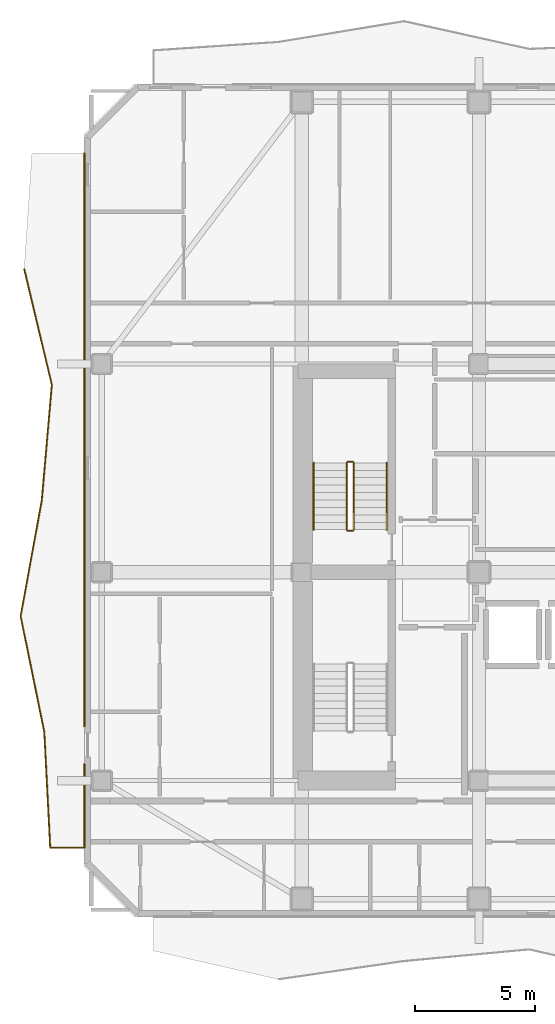
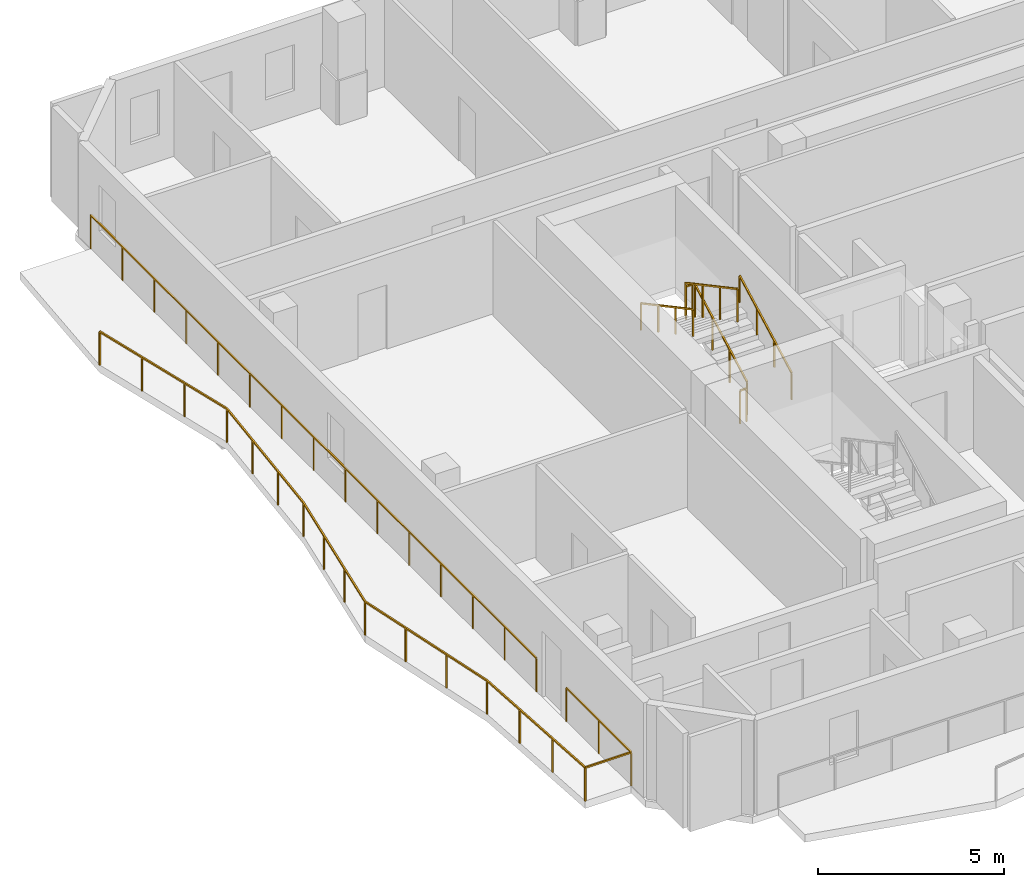
# One storey, part 8 of 10: 8 railings.
"""IFC4 building model written with IfcOpenShell, lengths in metres."""

from ifc_helpers import new_model, si_unit, direction, frame, origin, origin_2d, place, context, subcontext, project, spatial, rectangle, extrude, material, type_object, element, save


model = new_model("IFC4")

# Units and contexts
model_context = context("Model", 3, precision=1e-05, world=origin(), true_north=direction((0.0, 1.0)))
body_context = subcontext(model_context, "Body", "Model", "MODEL_VIEW")
ifc_project = project(units=[si_unit("LENGTHUNIT", "METRE"), si_unit("AREAUNIT", "SQUARE_METRE"), si_unit("VOLUMEUNIT", "CUBIC_METRE"), si_unit("PLANEANGLEUNIT", "RADIAN"), si_unit("MASSUNIT", "GRAM", prefix="KILO")], contexts=[model_context])

# Site, building, storey
site_placement = place(None, origin())
site = spatial("IfcSite", under=ifc_project, at=site_placement, CompositionType="ELEMENT")
building_placement = place(site_placement, origin())
building = spatial("IfcBuilding", under=site, at=building_placement, Name="Solanera Arch Residences", CompositionType="ELEMENT")
storey_placement = place(building_placement, frame((0.0, 0.0, 262.239990234375)))
storey = spatial("IfcBuildingStorey", under=building, at=storey_placement, Name="L76", CompositionType="ELEMENT", Elevation=262.239990234375)

# Railings
ifc_material_1 = material(Name="Steel S355 (ASTM A992 / A572 Grade 50)", Category="steel")
railing_type_1 = type_object("IfcRailingType", Name="Balustrade Railing BL-1100", PredefinedType="BALUSTRADE", material=ifc_material_1)
railing_1_placement = place(storey_placement, frame((1.802001953125, 43.366943359375, 0.0)))
element("IfcRailing", 1, at=railing_1_placement, inside=storey, type_object=railing_type_1, Name="L76 W Balcony Balustrade 1", PredefinedType="BALUSTRADE", context=body_context, shape_type="SweptSolid", body=[
    extrude(rectangle(XDim=0.048095703125, YDim=0.048095703125, at=origin_2d()), frame((0.0, 0.0, 1.09619140625), z_axis=(0.232025644782, -0.972709668999, 0.0), x_axis=(0.972709668999, 0.232025644782, 0.0)), (0.0, 0.0, 1.0), 4.9697265625),
    extrude(rectangle(XDim=0.048095703125, YDim=0.048095703125, at=origin_2d()), frame((1.153076171875, -4.833984375, 1.09619140625), z_axis=(-0.086610071574, -0.99624228755, 0.0), x_axis=(0.99624228755, -0.086610071574, 0.0)), (0.0, 0.0, 1.0), 4.851318359375),
    extrude(rectangle(XDim=0.048095703125, YDim=0.048095703125, at=origin_2d()), frame((0.73291015625, -9.6669921875, 1.09619140625), z_axis=(-0.179690007971, -0.983723284789, 0.0), x_axis=(0.983723284789, -0.179690007971, 0.0)), (0.0, 0.0, 1.0), 4.9130859375),
    extrude(rectangle(XDim=0.048095703125, YDim=0.048095703125, at=origin_2d()), frame((-0.14990234375, -14.5, 1.09619140625), z_axis=(0.20020625093, -0.979753773705, 0.0), x_axis=(0.979753773705, 0.20020625093, 0.0)), (0.0, 0.0, 1.0), 4.933837890625),
    extrude(rectangle(XDim=0.048095703125, YDim=0.048095703125, at=origin_2d()), frame((0.837890625, -19.333984375, 1.09619140625), z_axis=(0.051256037288, -0.998685545425, 0.0), x_axis=(0.998685545425, 0.051256037288, 0.0)), (0.0, 0.0, 1.0), 4.83935546875),
    extrude(rectangle(XDim=0.048095703125, YDim=0.048095703125, at=origin_2d()), frame((1.0859375, -24.1669921875, 1.09619140625), z_axis=(1.0, 0.0, 0.0), x_axis=(0.0, 1.0, 0.0)), (0.0, 0.0, 1.0), 1.43212890625),
    extrude(rectangle(XDim=0.048095703125, YDim=0.048095703125, at=origin_2d()), frame((2.51806640625, -24.1669921875, 1.09619140625), z_axis=(0.0, 1.0, 0.0), x_axis=(-1.0, 0.0, 0.0)), (0.0, 0.0, 1.0), 3.47900390625),
    extrude(rectangle(XDim=0.0419921875, YDim=0.0419921875, at=origin_2d()), origin(), (0.0, 0.0, 1.0), 1.072021484375),
    extrude(rectangle(XDim=0.0419921875, YDim=0.0419921875, at=origin_2d()), frame((0.38427734375, -1.611328125, 0.0)), (0.0, 0.0, 1.0), 1.072021484375),
    extrude(rectangle(XDim=0.0419921875, YDim=0.0419921875, at=origin_2d()), frame((0.768798828125, -3.22265625, 0.0)), (0.0, 0.0, 1.0), 1.072021484375),
    extrude(rectangle(XDim=0.0419921875, YDim=0.0419921875, at=origin_2d()), frame((1.153076171875, -4.833984375, 0.0)), (0.0, 0.0, 1.0), 1.072021484375),
    extrude(rectangle(XDim=0.0419921875, YDim=0.0419921875, at=origin_2d()), frame((1.012939453125, -6.445068359375, 0.0)), (0.0, 0.0, 1.0), 1.072021484375),
    extrude(rectangle(XDim=0.0419921875, YDim=0.0419921875, at=origin_2d()), frame((0.873046875, -8.055908203125, 0.0)), (0.0, 0.0, 1.0), 1.072021484375),
    extrude(rectangle(XDim=0.0419921875, YDim=0.0419921875, at=origin_2d()), frame((0.73291015625, -9.6669921875, 0.0)), (0.0, 0.0, 1.0), 1.072021484375),
    extrude(rectangle(XDim=0.0419921875, YDim=0.0419921875, at=origin_2d()), frame((0.438720703125, -11.278076171875, 0.0)), (0.0, 0.0, 1.0), 1.072021484375),
    extrude(rectangle(XDim=0.0419921875, YDim=0.0419921875, at=origin_2d()), frame((0.144287109375, -12.888916015625, 0.0)), (0.0, 0.0, 1.0), 1.072021484375),
    extrude(rectangle(XDim=0.0419921875, YDim=0.0419921875, at=origin_2d()), frame((-0.14990234375, -14.5, 0.0)), (0.0, 0.0, 1.0), 1.072021484375),
    extrude(rectangle(XDim=0.0419921875, YDim=0.0419921875, at=origin_2d()), frame((0.179443359375, -16.111328125, 0.0)), (0.0, 0.0, 1.0), 1.072021484375),
    extrude(rectangle(XDim=0.0419921875, YDim=0.0419921875, at=origin_2d()), frame((0.508544921875, -17.72265625, 0.0)), (0.0, 0.0, 1.0), 1.072021484375),
    extrude(rectangle(XDim=0.0419921875, YDim=0.0419921875, at=origin_2d()), frame((0.837890625, -19.333984375, 0.0)), (0.0, 0.0, 1.0), 1.072021484375),
    extrude(rectangle(XDim=0.0419921875, YDim=0.0419921875, at=origin_2d()), frame((0.920654296875, -20.945068359375, 0.0)), (0.0, 0.0, 1.0), 1.072021484375),
    extrude(rectangle(XDim=0.0419921875, YDim=0.0419921875, at=origin_2d()), frame((1.003173828125, -22.555908203125, 0.0)), (0.0, 0.0, 1.0), 1.072021484375),
    extrude(rectangle(XDim=0.0419921875, YDim=0.0419921875, at=origin_2d()), frame((1.0859375, -24.1669921875, 0.0)), (0.0, 0.0, 1.0), 1.072021484375),
    extrude(rectangle(XDim=0.0419921875, YDim=0.0419921875, at=origin_2d()), frame((2.51806640625, -24.1669921875, 0.0)), (0.0, 0.0, 1.0), 1.072021484375),
    extrude(rectangle(XDim=0.0419921875, YDim=0.0419921875, at=origin_2d()), frame((2.51806640625, -22.427490234375, 0.0)), (0.0, 0.0, 1.0), 1.072021484375),
    extrude(rectangle(XDim=0.0419921875, YDim=0.0419921875, at=origin_2d()), frame((2.51806640625, -20.68798828125, 0.0)), (0.0, 0.0, 1.0), 1.072021484375),
])
railing_2_placement = place(storey_placement, frame((4.320068359375, 24.279052734375, 0.0)))
element("IfcRailing", 2, at=railing_2_placement, inside=storey, type_object=railing_type_1, Name="L76 W Balcony Balustrade 2", PredefinedType="BALUSTRADE", context=body_context, shape_type="SweptSolid", body=[
    extrude(rectangle(XDim=0.048095703125, YDim=0.048095703125, at=origin_2d()), frame((0.0, 0.0, 1.09619140625), z_axis=(0.0, 1.0, 0.0), x_axis=(-1.0, 0.0, 0.0)), (0.0, 0.0, 1.0), 23.9208984375),
    extrude(rectangle(XDim=0.0419921875, YDim=0.0419921875, at=origin_2d()), origin(), (0.0, 0.0, 1.0), 1.072021484375),
    extrude(rectangle(XDim=0.0419921875, YDim=0.0419921875, at=origin_2d()), frame((0.0, 1.708740234375, 0.0)), (0.0, 0.0, 1.0), 1.072021484375),
    extrude(rectangle(XDim=0.0419921875, YDim=0.0419921875, at=origin_2d()), frame((0.0, 3.417236328125, 0.0)), (0.0, 0.0, 1.0), 1.072021484375),
    extrude(rectangle(XDim=0.0419921875, YDim=0.0419921875, at=origin_2d()), frame((0.0, 5.1259765625, 0.0)), (0.0, 0.0, 1.0), 1.072021484375),
    extrude(rectangle(XDim=0.0419921875, YDim=0.0419921875, at=origin_2d()), frame((0.0, 6.83447265625, 0.0)), (0.0, 0.0, 1.0), 1.072021484375),
    extrude(rectangle(XDim=0.0419921875, YDim=0.0419921875, at=origin_2d()), frame((0.0, 8.543212890625, 0.0)), (0.0, 0.0, 1.0), 1.072021484375),
    extrude(rectangle(XDim=0.0419921875, YDim=0.0419921875, at=origin_2d()), frame((0.0, 10.251708984375, 0.0)), (0.0, 0.0, 1.0), 1.072021484375),
    extrude(rectangle(XDim=0.0419921875, YDim=0.0419921875, at=origin_2d()), frame((0.0, 11.96044921875, 0.0)), (0.0, 0.0, 1.0), 1.072021484375),
    extrude(rectangle(XDim=0.0419921875, YDim=0.0419921875, at=origin_2d()), frame((0.0, 13.669189453125, 0.0)), (0.0, 0.0, 1.0), 1.072021484375),
    extrude(rectangle(XDim=0.0419921875, YDim=0.0419921875, at=origin_2d()), frame((0.0, 15.377685546875, 0.0)), (0.0, 0.0, 1.0), 1.072021484375),
    extrude(rectangle(XDim=0.0419921875, YDim=0.0419921875, at=origin_2d()), frame((0.0, 17.08642578125, 0.0)), (0.0, 0.0, 1.0), 1.072021484375),
    extrude(rectangle(XDim=0.0419921875, YDim=0.0419921875, at=origin_2d()), frame((0.0, 18.794921875, 0.0)), (0.0, 0.0, 1.0), 1.072021484375),
    extrude(rectangle(XDim=0.0419921875, YDim=0.0419921875, at=origin_2d()), frame((0.0, 20.503662109375, 0.0)), (0.0, 0.0, 1.0), 1.072021484375),
    extrude(rectangle(XDim=0.0419921875, YDim=0.0419921875, at=origin_2d()), frame((0.0, 22.212158203125, 0.0)), (0.0, 0.0, 1.0), 1.072021484375),
    extrude(rectangle(XDim=0.0419921875, YDim=0.0419921875, at=origin_2d()), frame((0.0, 23.9208984375, 0.0)), (0.0, 0.0, 1.0), 1.072021484375),
])
ifc_material_2 = material(Name="Steel S355 (ASTM A992 / A572 Grade 50)", Category="steel")
railing_type_2 = type_object("IfcRailingType", Name="Stair Guardrail GR-1100", PredefinedType="GUARDRAIL", material=ifc_material_2)
railing_3_placement = place(storey_placement, frame((15.570068359375, 32.47998046875, 0.151123046875)))
element("IfcRailing", 3, at=railing_3_placement, inside=storey, type_object=railing_type_2, Name="L76 ST-T1 stair guard 1", PredefinedType="GUARDRAIL", context=body_context, shape_type="SweptSolid", body=[
    extrude(rectangle(XDim=0.048095703125, YDim=0.048095703125, at=origin_2d()), frame((0.0, 0.0, 1.076171875), z_axis=(0.0, 0.881580869306, 0.472033018838), x_axis=(-1.0, 0.0, 0.0)), (0.0, 0.0, 1.0), 3.164794921875),
    extrude(rectangle(XDim=0.0419921875, YDim=0.0419921875, at=origin_2d()), origin(), (0.0, 0.0, 1.0), 1.052001953125),
    extrude(rectangle(XDim=0.0419921875, YDim=0.0419921875, at=origin_2d()), frame((0.0, 0.929931640625, 0.498046875)), (0.0, 0.0, 1.0), 1.052001953125),
    extrude(rectangle(XDim=0.0419921875, YDim=0.0419921875, at=origin_2d()), frame((0.0, 1.860107421875, 0.995849609375)), (0.0, 0.0, 1.0), 1.052001953125),
    extrude(rectangle(XDim=0.0419921875, YDim=0.0419921875, at=origin_2d()), frame((0.0, 2.7900390625, 1.493896484375)), (0.0, 0.0, 1.0), 1.052001953125),
])
railing_4_placement = place(storey_placement, frame((15.52001953125, 35.320068359375, 1.64501953125)))
element("IfcRailing", 4, at=railing_4_placement, inside=storey, type_object=railing_type_2, Name="L76 ST-T1 stair guard 2", PredefinedType="GUARDRAIL", context=body_context, shape_type="SweptSolid", body=[
    extrude(rectangle(XDim=0.048095703125, YDim=0.048095703125, at=origin_2d()), frame((0.0, 0.0, 1.076171875), z_axis=(-1.0, 0.0, 0.0), x_axis=(0.0, -1.0, 0.0)), (0.0, 0.0, 1.0), 0.199951171875),
    extrude(rectangle(XDim=0.0419921875, YDim=0.0419921875, at=origin_2d()), origin(), (0.0, 0.0, 1.0), 1.052001953125),
    extrude(rectangle(XDim=0.0419921875, YDim=0.0419921875, at=origin_2d()), frame((-0.199951171875, 0.0, 0.0)), (0.0, 0.0, 1.0), 1.052001953125),
])
railing_5_placement = place(storey_placement, frame((15.27001953125, 35.27001953125, 1.81103515625)))
element("IfcRailing", 5, at=railing_5_placement, inside=storey, type_object=railing_type_2, Name="L76 ST-T1 stair guard 3", PredefinedType="GUARDRAIL", context=body_context, shape_type="SweptSolid", body=[
    extrude(rectangle(XDim=0.048095703125, YDim=0.048095703125, at=origin_2d()), frame((0.0, 0.0, 1.076171875), z_axis=(0.0, -0.881580869306, 0.472033018838), x_axis=(1.0, 0.0, 0.0)), (0.0, 0.0, 1.0), 3.164794921875),
    extrude(rectangle(XDim=0.0419921875, YDim=0.0419921875, at=origin_2d()), origin(), (0.0, 0.0, 1.0), 1.052001953125),
    extrude(rectangle(XDim=0.0419921875, YDim=0.0419921875, at=origin_2d()), frame((0.0, -0.929931640625, 0.498046875)), (0.0, 0.0, 1.0), 1.052001953125),
    extrude(rectangle(XDim=0.0419921875, YDim=0.0419921875, at=origin_2d()), frame((0.0, -1.860107421875, 0.995849609375)), (0.0, 0.0, 1.0), 1.052001953125),
    extrude(rectangle(XDim=0.0419921875, YDim=0.0419921875, at=origin_2d()), frame((0.0, -2.7900390625, 1.493896484375)), (0.0, 0.0, 1.0), 1.052001953125),
])
railing_6_placement = place(storey_placement, frame((15.52001953125, 32.429931640625, -0.014892578125)))
element("IfcRailing", 6, at=railing_6_placement, inside=storey, type_object=railing_type_2, Name="L76 ST-T1 stair guard 4", PredefinedType="GUARDRAIL", context=body_context, shape_type="SweptSolid", body=[
    extrude(rectangle(XDim=0.048095703125, YDim=0.048095703125, at=origin_2d()), frame((0.0, 0.0, 1.076171875), z_axis=(-1.0, 0.0, 0.0), x_axis=(0.0, -1.0, 0.0)), (0.0, 0.0, 1.0), 0.199951171875),
    extrude(rectangle(XDim=0.0419921875, YDim=0.0419921875, at=origin_2d()), origin(), (0.0, 0.0, 1.0), 1.052001953125),
    extrude(rectangle(XDim=0.0419921875, YDim=0.0419921875, at=origin_2d()), frame((-0.199951171875, 0.0, 0.0)), (0.0, 0.0, 1.0), 1.052001953125),
])
ifc_material_3 = material(Name="Steel S355 (ASTM A992 / A572 Grade 50)", Category="steel")
railing_type_3 = type_object("IfcRailingType", Name="Stair Wall Handrail HR-920", PredefinedType="HANDRAIL", material=ifc_material_3)
railing_7_placement = place(storey_placement, frame((16.949951171875, 32.47998046875, 0.166015625)))
element("IfcRailing", 7, at=railing_7_placement, inside=storey, type_object=railing_type_3, Name="L76 ST-T1 stair handrail 1", PredefinedType="HANDRAIL", context=body_context, shape_type="SweptSolid", body=[
    extrude(rectangle(XDim=0.048095703125, YDim=0.048095703125, at=origin_2d()), frame((0.0, 0.0, 0.8759765625), z_axis=(0.0, 0.881580869306, 0.472033018838), x_axis=(-1.0, 0.0, 0.0)), (0.0, 0.0, 1.0), 3.164794921875),
    extrude(rectangle(XDim=0.0419921875, YDim=0.0419921875, at=origin_2d()), origin(), (0.0, 0.0, 1.0), 0.851806640625),
    extrude(rectangle(XDim=0.0419921875, YDim=0.0419921875, at=origin_2d()), frame((0.0, 0.929931640625, 0.498046875)), (0.0, 0.0, 1.0), 0.851806640625),
    extrude(rectangle(XDim=0.0419921875, YDim=0.0419921875, at=origin_2d()), frame((0.0, 1.860107421875, 0.995849609375)), (0.0, 0.0, 1.0), 0.851806640625),
    extrude(rectangle(XDim=0.0419921875, YDim=0.0419921875, at=origin_2d()), frame((0.0, 2.7900390625, 1.493896484375)), (0.0, 0.0, 1.0), 0.851806640625),
])
railing_8_placement = place(storey_placement, frame((13.889892578125, 35.27001953125, 1.825927734375)))
element("IfcRailing", 8, at=railing_8_placement, inside=storey, type_object=railing_type_3, Name="L76 ST-T1 stair handrail 2", PredefinedType="HANDRAIL", context=body_context, shape_type="SweptSolid", body=[
    extrude(rectangle(XDim=0.048095703125, YDim=0.048095703125, at=origin_2d()), frame((0.0, 0.0, 0.8759765625), z_axis=(0.0, -0.881548766853, 0.472092969298), x_axis=(1.0, 0.0, 0.0)), (0.0, 0.0, 1.0), 3.1650390625),
    extrude(rectangle(XDim=0.0419921875, YDim=0.0419921875, at=origin_2d()), origin(), (0.0, 0.0, 1.0), 0.851806640625),
    extrude(rectangle(XDim=0.0419921875, YDim=0.0419921875, at=origin_2d()), frame((0.0, -0.929931640625, 0.498046875)), (0.0, 0.0, 1.0), 0.851806640625),
    extrude(rectangle(XDim=0.0419921875, YDim=0.0419921875, at=origin_2d()), frame((0.0, -1.860107421875, 0.99609375)), (0.0, 0.0, 1.0), 0.851806640625),
    extrude(rectangle(XDim=0.0419921875, YDim=0.0419921875, at=origin_2d()), frame((0.0, -2.7900390625, 1.494140625)), (0.0, 0.0, 1.0), 0.851806640625),
])

save(model, "model.ifc")
